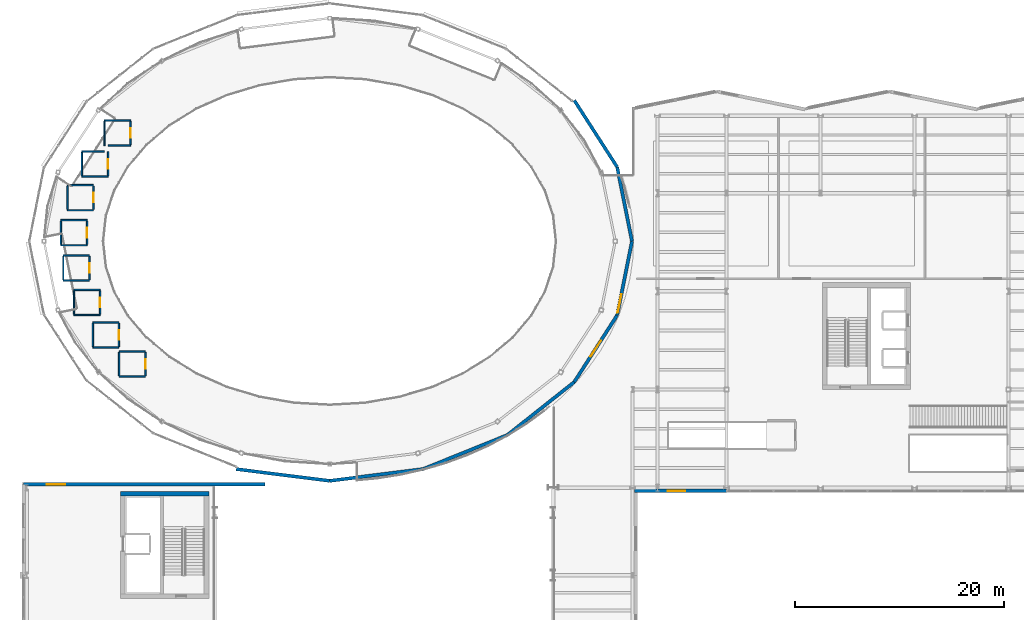
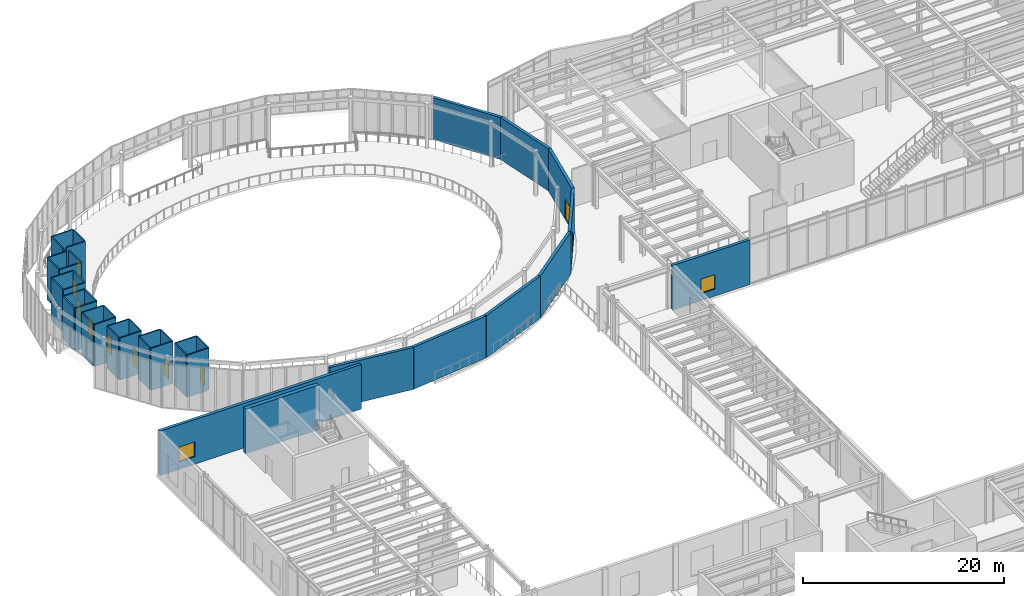
# One storey, part 78 of 98: 43 walls, 10 doors, 2 windows, 12 openings.
"""IFC4 building model written with IfcOpenShell, lengths in metres."""

import ifcopenshell
import ifcopenshell.guid

model = None  # the IFC model being written
_history = None  # IfcOwnerHistory: only IFC2X3 demands one
_inside = {}  # id of a spatial element -> (the spatial element, [elements in it])
_under = {}  # id of a project, library or spatial element -> (it, [spatial elements below it])
_declared = {}  # id of a project -> (the project, [libraries it declares])
_typed = {}  # id of a type object -> (the type object, [elements of that type])
_made_of = {}  # id of a material, layer set ... -> (it, [elements and type objects made of it])


def new_model(schema):
    """Start an empty IFC model of exactly this schema.

    Asked for "IFC4X3", IfcOpenShell would pick the latest addendum, in which some entities
    have other attributes; the version numbers below select the first issue.
    IFC2X3 requires an IfcOwnerHistory on every rooted entity: one is made here for all.
    """
    global model, _history
    if schema == "IFC4X3":
        model = ifcopenshell.file(schema_version=(4, 3, 0, 0))
    else:
        model = ifcopenshell.file(schema=schema)
    _inside.clear()
    _under.clear()
    _declared.clear()
    _typed.clear()
    _made_of.clear()
    _history = None
    if model.schema == "IFC2X3":
        org = make("IfcOrganization", Name="unknown")
        user = make(
            "IfcPersonAndOrganization",
            ThePerson=make("IfcPerson", FamilyName="unknown"),
            TheOrganization=org,
        )
        app = make(
            "IfcApplication",
            ApplicationDeveloper=org,
            Version="unknown",
            ApplicationFullName="unknown",
            ApplicationIdentifier="unknown",
        )
        _history = make(
            "IfcOwnerHistory",
            OwningUser=user,
            OwningApplication=app,
            ChangeAction="ADDED",
            CreationDate=0,
        )
    return model


def make(cls, **values):
    """One entity of the class cls with the attributes given. An attribute that is None is left unset."""
    return model.create_entity(
        cls, **{name: value for name, value in values.items() if value is not None}
    )


def rooted(cls, **values):
    """An entity with a GlobalId (a new one), such as an element, a storey or a relation."""
    return make(cls, GlobalId=ifcopenshell.guid.new(), OwnerHistory=_history, **values)


def si_unit(unit_type, name, prefix=None):
    """IfcSIUnit, for example si_unit("LENGTHUNIT", "METRE", prefix="MILLI")."""
    return make("IfcSIUnit", UnitType=unit_type, Prefix=prefix, Name=name)


def assignment(units):
    """IfcUnitAssignment: the units of a project."""
    return None if units is None else make("IfcUnitAssignment", Units=units)


def point(xyz):
    """IfcCartesianPoint."""
    return None if xyz is None else make("IfcCartesianPoint", Coordinates=xyz)


def direction(xyz):
    """IfcDirection."""
    return None if xyz is None else make("IfcDirection", DirectionRatios=xyz)


def frame(location, z_axis=None, x_axis=None):
    """IfcAxis2Placement3D, a coordinate frame: its origin and axes. An axis left out is left unset."""
    return make(
        "IfcAxis2Placement3D",
        Location=point(location),
        Axis=direction(z_axis),
        RefDirection=direction(x_axis),
    )


def frame_2d(location, x_axis=None):
    """IfcAxis2Placement2D, a coordinate frame in the plane: its origin and x axis."""
    return make(
        "IfcAxis2Placement2D", Location=point(location), RefDirection=direction(x_axis)
    )


def origin():
    """The frame at (0, 0, 0) with its axes left unset."""
    return frame((0.0, 0.0, 0.0))


def place(relative_to, where):
    """IfcLocalPlacement: puts the frame where relative to a parent placement (None: the world)."""
    return make(
        "IfcLocalPlacement", PlacementRelTo=relative_to, RelativePlacement=where
    )


def context(
    kind, dimensions, precision=None, world=None, true_north=None, identifier=None
):
    """IfcGeometricRepresentationContext, for example the 3D "Model" context."""
    return make(
        "IfcGeometricRepresentationContext",
        ContextIdentifier=identifier,
        ContextType=kind,
        CoordinateSpaceDimension=dimensions,
        Precision=precision,
        WorldCoordinateSystem=world,
        TrueNorth=true_north,
    )


def subcontext(parent, identifier, kind, view, scale=None):
    """IfcGeometricRepresentationSubContext, for example "Body" below "Model"."""
    return make(
        "IfcGeometricRepresentationSubContext",
        ContextIdentifier=identifier,
        ContextType=kind,
        ParentContext=parent,
        TargetScale=scale,
        TargetView=view,
    )


def project(units=None, contexts=None):
    """IfcProject with its units and contexts."""
    return rooted(
        "IfcProject",
        Name="project",
        RepresentationContexts=contexts,
        UnitsInContext=assignment(units),
    )


def spatial(cls, under=None, at=None, **own):
    """A site, building, storey or space (cls), placed at a placement, below another one or the project."""
    s = rooted(cls, ObjectPlacement=at, **own)
    if under is not None:
        _under.setdefault(under.id(), (under, []))[1].append(s)
    return s


def profile(cls, at=None, kind="AREA", **sizes):
    """A parametric profile (cls). Its sizes go by their IFC names, for example OverallWidth=200.0."""
    return make(cls, ProfileType=kind, Position=at, **sizes)


def rectangle(**sizes):
    """IfcRectangleProfileDef."""
    return profile("IfcRectangleProfileDef", **sizes)


def extrude(swept, where, along, depth):
    """IfcExtrudedAreaSolid: the profile swept, set in the frame where, extruded along a direction by depth."""
    return make(
        "IfcExtrudedAreaSolid",
        SweptArea=swept,
        Position=where,
        ExtrudedDirection=direction(along),
        Depth=depth,
    )


def shape(context_of_items, identifier, shape_type, items):
    """IfcShapeRepresentation: the items that make up one representation, for example the "Body"."""
    return make(
        "IfcShapeRepresentation",
        ContextOfItems=context_of_items,
        RepresentationIdentifier=identifier,
        RepresentationType=shape_type,
        Items=items,
    )


def material(Name=None, Category=None):
    """IfcMaterial."""
    return make("IfcMaterial", Name=Name, Category=Category)


def layer(
    of_material, thickness, ventilated=None, Name=None, Category=None, Priority=None
):
    """IfcMaterialLayer: one layer of a wall or slab, of a material (None: an air gap)."""
    return make(
        "IfcMaterialLayer",
        Material=of_material,
        LayerThickness=thickness,
        IsVentilated=ventilated,
        Name=Name,
        Category=Category,
        Priority=Priority,
    )


def layer_set(layers, Name=None):
    """IfcMaterialLayerSet."""
    return make("IfcMaterialLayerSet", MaterialLayers=layers, LayerSetName=Name)


def made_of(thing, what):
    """Note that an element or type object is made of a material, layer set ...; save() writes the relation."""
    if what is not None:
        _made_of.setdefault(what.id(), (what, []))[1].append(thing)
    return thing


def type_object(cls, material=None, **own):
    """A type object (cls), such as IfcWallType, which elements share."""
    return made_of(rooted(cls, **own), material)


def element(
    cls,
    number,
    at=None,
    inside=None,
    cuts=None,
    type_object=None,
    material=None,
    context=None,
    identifier="Body",
    shape_type=None,
    held_by="IfcProductDefinitionShape",
    body=None,
    shapes=None,
    **own,
):
    """One element of the class cls, such as IfcWall. Its Tag is "e" and its number.

    at: its placement. inside: the storey or other place that contains it. cuts: it is an
    opening in that element (IfcRelVoidsElement). A single representation is given by context,
    identifier, shape_type and body (its items); several are given by shapes. held_by: the class
    of the entity that holds the representations. save() writes the other relations.
    """
    e = rooted(cls, Tag="e%d" % number, ObjectPlacement=at, **own)
    if body is not None:
        shapes = [shape(context, identifier, shape_type, body)]
    if shapes is not None:
        e.Representation = make(held_by, Representations=shapes)
    if inside is not None:
        _inside.setdefault(inside.id(), (inside, []))[1].append(e)
    if cuts is not None:
        rooted(
            "IfcRelVoidsElement", RelatingBuildingElement=cuts, RelatedOpeningElement=e
        )
    if type_object is not None:
        _typed.setdefault(type_object.id(), (type_object, []))[1].append(e)
    return made_of(e, material)


def fill(opening, filler):
    """IfcRelFillsElement: the door or window that sits in an opening."""
    return rooted(
        "IfcRelFillsElement",
        RelatingOpeningElement=opening,
        RelatedBuildingElement=filler,
    )


def aggregate(whole, parts):
    """IfcRelAggregates: a whole, such as a stair, and the parts it consists of."""
    return rooted("IfcRelAggregates", RelatingObject=whole, RelatedObjects=parts)


def save(model, path):
    """Write the relations noted so far, then the file.

    IfcRelAggregates (storeys below a building ...), IfcRelContainedInSpatialStructure (elements
    in a storey), IfcRelDefinesByType, IfcRelAssociatesMaterial and IfcRelDeclares: one each for
    every whole, place, type object, material and project.
    """
    for whole, parts in _under.values():
        aggregate(whole, parts)
    for where, things in _inside.values():
        rooted(
            "IfcRelContainedInSpatialStructure",
            RelatedElements=things,
            RelatingStructure=where,
        )
    for kind, things in _typed.values():
        rooted("IfcRelDefinesByType", RelatedObjects=things, RelatingType=kind)
    for what, things in _made_of.values():
        rooted("IfcRelAssociatesMaterial", RelatedObjects=things, RelatingMaterial=what)
    for by, libraries in _declared.values():
        rooted("IfcRelDeclares", RelatingContext=by, RelatedDefinitions=libraries)
    model.write(path)


model = new_model("IFC4")

# Units and contexts
model_context = context("Model", 3, precision=1e-05, world=origin(), true_north=direction((0.0, 1.0)))
body_context = subcontext(model_context, "Body", "Model", "MODEL_VIEW")
ifc_project = project(units=[si_unit("LENGTHUNIT", "METRE"), si_unit("AREAUNIT", "SQUARE_METRE"), si_unit("VOLUMEUNIT", "CUBIC_METRE"), si_unit("PLANEANGLEUNIT", "RADIAN"), si_unit("MASSUNIT", "GRAM", prefix="KILO")], contexts=[model_context])

# Site, building, storey
site_placement = place(None, origin())
site = spatial("IfcSite", under=ifc_project, at=site_placement, CompositionType="ELEMENT")
building_placement = place(site_placement, origin())
building = spatial("IfcBuilding", under=site, at=building_placement, Name="Sollismere Congress Hotel", CompositionType="ELEMENT")
storey_placement = place(building_placement, frame((0.0, 0.0, 5.39990234375)))
storey = spatial("IfcBuildingStorey", under=building, at=storey_placement, Name="L01", CompositionType="ELEMENT", Elevation=5.39990234375)

# Wall, opening, window
ifc_material_1 = material(Name="Colorado Buff Sandstone and Limestone Backup C40/50", Category="masonry")
ifc_layer_1 = layer(ifc_material_1, 0.340087890625, Name="Colorado Buff Sandstone and Limestone Backup C40/50")
ifc_layer_set_1 = layer_set([ifc_layer_1], Name="Colorado Buff Sandstone and Limestone Backup C40/50")
wall_type_1 = type_object("IfcWallType", Name="WL-EXT340", PredefinedType="STANDARD", material=ifc_layer_set_1)
wall_1_placement = place(storey_placement, frame((58.179931640625, 66.489990234375, 0.0), z_axis=(0.0, 0.0, 1.0), x_axis=(1.0, 0.0, 0.0)))
wall_1 = element("IfcWall", 1, at=wall_1_placement, inside=storey, type_object=wall_type_1, Name="Exterior wall EW-L01-039", PredefinedType="STANDARD", context=body_context, shape_type="SweptSolid", body=[
    extrude(rectangle(XDim=8.820068359375, YDim=0.340087890625, at=frame_2d((4.41015625, 0.0))), origin(), (0.0, 0.0, 1.0), 5.400146484375),
])
opening_1_placement = place(wall_1_placement, frame((3.199951171875, 0.0, 0.85009765625)))
opening_1 = element("IfcOpeningElement", 2, at=opening_1_placement, cuts=wall_1, Name="Opening W-L01-029", PredefinedType="OPENING", context=body_context, shape_type="SweptSolid", body=[
    extrude(rectangle(XDim=1.64990234375, YDim=1.75, at=frame_2d((0.824951171875, 0.875))), frame((0.0, 0.179931640625, 0.0), z_axis=(0.0, -1.0, 0.0), x_axis=(1.0, 0.0, 0.0)), (0.0, 0.0, 1.0), 0.360107421875),
])
ifc_material_2 = material(Name="Thermally Broken Bronze Aluminum & Low-E Glass", Category="aluminium")
window_type_1 = type_object("IfcWindowType", Name="WN-P165x175", PartitioningType="SINGLE_PANEL", PredefinedType="WINDOW", material=ifc_material_2)
window_1_placement = place(opening_1_placement, origin())
window_1 = element("IfcWindow", 3, at=window_1_placement, inside=storey, type_object=window_type_1, Name="WIN-W-L01-029", OverallHeight=1.75, OverallWidth=1.64990234375, PartitioningType="SINGLE_PANEL", PredefinedType="WINDOW", context=body_context, shape_type="SweptSolid", body=[
    extrude(rectangle(XDim=1.64990234375, YDim=1.75, at=frame_2d((0.824951171875, 0.875))), frame((0.0, 0.030029296875, 0.0), z_axis=(0.0, -1.0, 0.0), x_axis=(1.0, 0.0, 0.0)), (0.0, 0.0, 1.0), 0.06005859375),
])
fill(opening_1, window_1)

wall_2_placement = place(storey_placement, frame((-0.300048828125, 67.110107421875, 0.0), z_axis=(0.0, 0.0, 1.0), x_axis=(1.0, 0.0, 0.0)))
wall_2 = element("IfcWall", 4, at=wall_2_placement, inside=storey, type_object=wall_type_1, Name="Exterior wall EW-L01-138", PredefinedType="STANDARD", context=body_context, shape_type="SweptSolid", body=[
    extrude(rectangle(XDim=23.10009765625, YDim=0.340087890625, at=frame_2d((11.550048828125, 0.0))), origin(), (0.0, 0.0, 1.0), 5.400146484375),
])
opening_2_placement = place(wall_2_placement, frame((2.199951171875, 0.0, 0.89990234375)))
opening_2 = element("IfcOpeningElement", 5, at=opening_2_placement, cuts=wall_2, Name="Opening W-L01-122", PredefinedType="OPENING", context=body_context, shape_type="SweptSolid", body=[
    extrude(rectangle(XDim=1.800048828125, YDim=1.800048828125, at=frame_2d((0.89990234375, 0.89990234375))), frame((0.0, 0.179931640625, 0.0), z_axis=(0.0, -1.0, 0.0), x_axis=(1.0, 0.0, 0.0)), (0.0, 0.0, 1.0), 0.360107421875),
])
window_type_2 = type_object("IfcWindowType", Name="WN-P180x180", PartitioningType="SINGLE_PANEL", PredefinedType="WINDOW", material=ifc_material_2)
window_2_placement = place(opening_2_placement, origin())
window_2 = element("IfcWindow", 6, at=window_2_placement, inside=storey, type_object=window_type_2, Name="WIN-W-L01-122", OverallHeight=1.800048828125, OverallWidth=1.800048828125, PartitioningType="SINGLE_PANEL", PredefinedType="WINDOW", context=body_context, shape_type="SweptSolid", body=[
    extrude(rectangle(XDim=1.800048828125, YDim=1.800048828125, at=frame_2d((0.89990234375, 0.89990234375))), frame((0.0, 0.030029296875, 0.0), z_axis=(0.0, -1.0, 0.0), x_axis=(1.0, 0.0, 0.0)), (0.0, 0.0, 1.0), 0.06005859375),
])
fill(opening_2, window_2)

# Walls
ifc_material_3 = material(Name="Fire-Rated Gypsum Partition")
ifc_layer_2 = layer(ifc_material_3, 0.139892578125, Name="Fire-Rated Gypsum Partition")
ifc_layer_set_2 = layer_set([ifc_layer_2], Name="Fire-Rated Gypsum Partition")
wall_type_2 = type_object("IfcWallType", Name="WL-PRT140R", PredefinedType="PARTITIONING", material=ifc_layer_set_2)
for number, where, z_axis, x_axis, name in (
    (7, (8.85009765625, 77.429931640625, 0.0), (0.0, 0.0, 1.0), (1.0, 0.0, 0.0), "Interior wall IW-L01-0870"),
    (8, (8.85009765625, 79.830078125, 0.0), (0.0, 0.0, 1.0), (1.0, 0.0, 0.0), "Interior wall IW-L01-0871"),
    (9, (6.320068359375, 80.22998046875, 0.0), (0.0, 0.0, 1.0), (1.0, 0.0, 0.0), "Interior wall IW-L01-0872"),
    (10, (6.320068359375, 82.6298828125, 0.0), (0.0, 0.0, 1.0), (1.0, 0.0, 0.0), "Interior wall IW-L01-0873"),
    (11, (4.52001953125, 83.330078125, 0.0), (0.0, 0.0, 1.0), (1.0, 0.0, 0.0), "Interior wall IW-L01-0874"),
    (12, (4.52001953125, 85.72998046875, 0.0), (0.0, 0.0, 1.0), (1.0, 0.0, 0.0), "Interior wall IW-L01-0875"),
    (13, (3.489990234375, 86.6201171875, 0.0), (0.0, 0.0, 1.0), (1.0, 0.0, 0.0), "Interior wall IW-L01-0876"),
    (14, (3.489990234375, 89.030029296875, 0.0), (0.0, 0.0, 1.0), (1.0, 0.0, 0.0), "Interior wall IW-L01-0882"),
    (15, (3.27001953125, 90.010009765625, 0.0), (0.0, 0.0, 1.0), (1.0, 0.0, 0.0), "Interior wall IW-L01-0883"),
    (16, (3.27001953125, 92.409912109375, 0.0), (0.0, 0.0, 1.0), (1.0, 0.0, 0.0), "Interior wall IW-L01-0884"),
    (17, (3.8798828125, 93.360107421875, 0.0), (0.0, 0.0, 1.0), (1.0, 0.0, 0.0), "Interior wall IW-L01-0885"),
    (18, (3.8798828125, 95.760009765625, 0.0), (0.0, 0.0, 1.0), (1.0, 0.0, 0.0), "Interior wall IW-L01-0886"),
    (19, (5.280029296875, 96.580078125, 0.0), (0.0, 0.0, 1.0), (1.0, 0.0, 0.0), "Interior wall IW-L01-0887"),
):
    element("IfcWall", number, at=place(storey_placement, frame(where, z_axis=z_axis, x_axis=x_axis)), inside=storey, type_object=wall_type_2, Name=name, PredefinedType="PARTITIONING", context=body_context, shape_type="SweptSolid", body=[
        extrude(rectangle(XDim=2.5, YDim=0.139892578125, at=frame_2d((1.25, 0.0))), origin(), (0.0, 0.0, 1.0), 5.09521484375),
    ])
for number, where, z_axis, x_axis, name in (
    (20, (5.280029296875, 98.97998046875, 0.0), (0.0, 0.0, 1.0), (1.0, 0.0, 0.0), "Interior wall IW-L01-0888"),
    (21, (7.780029296875, 99.550048828125, 0.0), (0.0, 0.0, 1.0), (1.0, 0.0, 0.0), "Interior wall IW-L01-0889"),
):
    element("IfcWall", number, at=place(storey_placement, frame(where, z_axis=z_axis, x_axis=x_axis)), inside=storey, type_object=wall_type_2, Name=name, PredefinedType="PARTITIONING", context=body_context, shape_type="SweptSolid", body=[
        extrude(rectangle(XDim=2.159912109375, YDim=0.139892578125, at=frame_2d((1.080078125, 0.0))), origin(), (0.0, 0.0, 1.0), 5.09521484375),
    ])
wall_3_placement = place(storey_placement, frame((7.43994140625, 101.93994140625, 0.0), z_axis=(0.0, 0.0, 1.0), x_axis=(1.0, 0.0, 0.0)))
element("IfcWall", 22, at=wall_3_placement, inside=storey, type_object=wall_type_2, Name="Interior wall IW-L01-0890", PredefinedType="PARTITIONING", context=body_context, shape_type="SweptSolid", body=[
    extrude(rectangle(XDim=2.5, YDim=0.139892578125, at=frame_2d((1.25, 0.0))), origin(), (0.0, 0.0, 1.0), 5.09521484375),
])
wall_4_placement = place(storey_placement, frame((3.27001953125, 90.092041015625, 0.0), z_axis=(0.0, 0.0, 1.0), x_axis=(0.0, 1.0, 0.0)))
element("IfcWall", 23, at=wall_4_placement, inside=storey, type_object=wall_type_2, Name="Interior wall IW-L01-0891", PredefinedType="PARTITIONING", context=body_context, shape_type="SweptSolid", body=[
    extrude(rectangle(XDim=2.23583984375, YDim=0.139892578125, at=frame_2d((1.117919921875, 0.0))), origin(), (0.0, 0.0, 1.0), 5.09521484375),
])
wall_5_placement = place(storey_placement, frame((3.489990234375, 86.701904296875, 0.0), z_axis=(0.0, 0.0, 1.0), x_axis=(0.0, 1.0, 0.0)))
element("IfcWall", 24, at=wall_5_placement, inside=storey, type_object=wall_type_2, Name="Interior wall IW-L01-0892", PredefinedType="PARTITIONING", context=body_context, shape_type="SweptSolid", body=[
    extrude(rectangle(XDim=2.24609375, YDim=0.139892578125, at=frame_2d((1.123046875, 0.0))), origin(), (0.0, 0.0, 1.0), 5.09521484375),
])
wall_6_placement = place(storey_placement, frame((3.8798828125, 93.44189453125, 0.0), z_axis=(0.0, 0.0, 1.0), x_axis=(0.0, 1.0, 0.0)))
element("IfcWall", 25, at=wall_6_placement, inside=storey, type_object=wall_type_2, Name="Interior wall IW-L01-0893", PredefinedType="PARTITIONING", context=body_context, shape_type="SweptSolid", body=[
    extrude(rectangle(XDim=2.236083984375, YDim=0.139892578125, at=frame_2d((1.1181640625, 0.0))), origin(), (0.0, 0.0, 1.0), 5.09521484375),
])
for number, where, z_axis, x_axis, name in (
    (26, (4.52001953125, 83.412109375, 0.0), (0.0, 0.0, 1.0), (0.0, 1.0, 0.0), "Interior wall IW-L01-0894"),
    (27, (5.280029296875, 96.662109375, 0.0), (0.0, 0.0, 1.0), (0.0, 1.0, 0.0), "Interior wall IW-L01-0895"),
):
    element("IfcWall", number, at=place(storey_placement, frame(where, z_axis=z_axis, x_axis=x_axis)), inside=storey, type_object=wall_type_2, Name=name, PredefinedType="PARTITIONING", context=body_context, shape_type="SweptSolid", body=[
        extrude(rectangle(XDim=2.23583984375, YDim=0.139892578125, at=frame_2d((1.117919921875, 0.0))), origin(), (0.0, 0.0, 1.0), 5.09521484375),
    ])

# Wall, opening, door
wall_7_placement = place(storey_placement, frame((5.77001953125, 90.092041015625, 0.0), z_axis=(0.0, 0.0, 1.0), x_axis=(0.0, 1.0, 0.0)))
wall_7 = element("IfcWall", 28, at=wall_7_placement, inside=storey, type_object=wall_type_2, Name="Interior wall IW-L01-0896", PredefinedType="PARTITIONING", context=body_context, shape_type="SweptSolid", body=[
    extrude(rectangle(XDim=2.23583984375, YDim=0.139892578125, at=frame_2d((1.117919921875, 0.0))), origin(), (0.0, 0.0, 1.0), 5.09521484375),
])
opening_3_placement = place(wall_7_placement, frame((0.655029296875, 0.0, 0.0)))
opening_3 = element("IfcOpeningElement", 29, at=opening_3_placement, cuts=wall_7, Name="Opening D-L01-0306", PredefinedType="OPENING", context=body_context, shape_type="SweptSolid", body=[
    extrude(rectangle(XDim=0.919921875, YDim=2.14990234375, at=frame_2d((0.4599609375, 1.074951171875))), frame((0.0, 0.079833984375, 0.0), z_axis=(0.0, -1.0, 0.0), x_axis=(1.0, 0.0, 0.0)), (0.0, 0.0, 1.0), 0.159912109375),
])
ifc_material_4 = material(Name="Solid-Core Acoustic Walnut Guestroom Entry Door")
door_type_1 = type_object("IfcDoorType", Name="DR-KY01", OperationType="NOTDEFINED", PredefinedType="DOOR", material=ifc_material_4)
door_1_placement = place(opening_3_placement, origin())
door_1 = element("IfcDoor", 30, at=door_1_placement, inside=storey, type_object=door_type_1, Name="Interior door D-L01-0306", OperationType="SINGLE_SWING_LEFT", OverallHeight=2.14990234375, OverallWidth=0.919921875, PredefinedType="DOOR", context=body_context, shape_type="SweptSolid", body=[
    extrude(rectangle(XDim=0.919921875, YDim=2.14990234375, at=frame_2d((0.4599609375, 1.074951171875))), frame((0.0, 0.02490234375, 0.0), z_axis=(0.0, -1.0, 0.0), x_axis=(1.0, 0.0, 0.0)), (0.0, 0.0, 1.0), 0.050048828125),
])
fill(opening_3, door_1)

wall_8_placement = place(storey_placement, frame((5.989990234375, 86.701904296875, 0.0), z_axis=(0.0, 0.0, 1.0), x_axis=(0.0, 1.0, 0.0)))
wall_8 = element("IfcWall", 31, at=wall_8_placement, inside=storey, type_object=wall_type_2, Name="Interior wall IW-L01-0897", PredefinedType="PARTITIONING", context=body_context, shape_type="SweptSolid", body=[
    extrude(rectangle(XDim=2.24609375, YDim=0.139892578125, at=frame_2d((1.123046875, 0.0))), origin(), (0.0, 0.0, 1.0), 5.09521484375),
])
opening_4_placement = place(wall_8_placement, frame((0.6630859375, 0.0, 0.0)))
opening_4 = element("IfcOpeningElement", 32, at=opening_4_placement, cuts=wall_8, Name="Opening D-L01-0307", PredefinedType="OPENING", context=body_context, shape_type="SweptSolid", body=[
    extrude(rectangle(XDim=0.919921875, YDim=2.14990234375, at=frame_2d((0.4599609375, 1.074951171875))), frame((0.0, 0.079833984375, 0.0), z_axis=(0.0, -1.0, 0.0), x_axis=(1.0, 0.0, 0.0)), (0.0, 0.0, 1.0), 0.159912109375),
])
door_2_placement = place(opening_4_placement, origin())
door_2 = element("IfcDoor", 33, at=door_2_placement, inside=storey, type_object=door_type_1, Name="Interior door D-L01-0307", OperationType="SINGLE_SWING_RIGHT", OverallHeight=2.14990234375, OverallWidth=0.919921875, PredefinedType="DOOR", context=body_context, shape_type="SweptSolid", body=[
    extrude(rectangle(XDim=0.919921875, YDim=2.14990234375, at=frame_2d((0.4599609375, 1.074951171875))), frame((0.0, 0.02490234375, 0.0), z_axis=(0.0, -1.0, 0.0), x_axis=(1.0, 0.0, 0.0)), (0.0, 0.0, 1.0), 0.050048828125),
])
fill(opening_4, door_2)

# Wall
wall_9_placement = place(storey_placement, frame((6.320068359375, 80.31201171875, 0.0), z_axis=(0.0, 0.0, 1.0), x_axis=(0.0, 1.0, 0.0)))
element("IfcWall", 34, at=wall_9_placement, inside=storey, type_object=wall_type_2, Name="Interior wall IW-L01-0898", PredefinedType="PARTITIONING", context=body_context, shape_type="SweptSolid", body=[
    extrude(rectangle(XDim=2.236083984375, YDim=0.139892578125, at=frame_2d((1.1181640625, 0.0))), origin(), (0.0, 0.0, 1.0), 5.09521484375),
])

# Wall, opening, door
wall_10_placement = place(storey_placement, frame((6.3798828125, 93.44189453125, 0.0), z_axis=(0.0, 0.0, 1.0), x_axis=(0.0, 1.0, 0.0)))
wall_10 = element("IfcWall", 35, at=wall_10_placement, inside=storey, type_object=wall_type_2, Name="Interior wall IW-L01-0899", PredefinedType="PARTITIONING", context=body_context, shape_type="SweptSolid", body=[
    extrude(rectangle(XDim=2.236083984375, YDim=0.139892578125, at=frame_2d((1.1181640625, 0.0))), origin(), (0.0, 0.0, 1.0), 5.09521484375),
])
opening_5_placement = place(wall_10_placement, frame((0.659912109375, 0.0, 0.0)))
opening_5 = element("IfcOpeningElement", 36, at=opening_5_placement, cuts=wall_10, Name="Opening D-L01-0308", PredefinedType="OPENING", context=body_context, shape_type="SweptSolid", body=[
    extrude(rectangle(XDim=0.919921875, YDim=2.14990234375, at=frame_2d((0.4599609375, 1.074951171875))), frame((0.0, 0.079833984375, 0.0), z_axis=(0.0, -1.0, 0.0), x_axis=(1.0, 0.0, 0.0)), (0.0, 0.0, 1.0), 0.159912109375),
])
door_3_placement = place(opening_5_placement, origin())
door_3 = element("IfcDoor", 37, at=door_3_placement, inside=storey, type_object=door_type_1, Name="Interior door D-L01-0308", OperationType="SINGLE_SWING_LEFT", OverallHeight=2.14990234375, OverallWidth=0.919921875, PredefinedType="DOOR", context=body_context, shape_type="SweptSolid", body=[
    extrude(rectangle(XDim=0.919921875, YDim=2.14990234375, at=frame_2d((0.4599609375, 1.074951171875))), frame((0.0, 0.02490234375, 0.0), z_axis=(0.0, -1.0, 0.0), x_axis=(1.0, 0.0, 0.0)), (0.0, 0.0, 1.0), 0.050048828125),
])
fill(opening_5, door_3)

wall_11_placement = place(storey_placement, frame((7.02001953125, 83.412109375, 0.0), z_axis=(0.0, 0.0, 1.0), x_axis=(0.0, 1.0, 0.0)))
wall_11 = element("IfcWall", 38, at=wall_11_placement, inside=storey, type_object=wall_type_2, Name="Interior wall IW-L01-0900", PredefinedType="PARTITIONING", context=body_context, shape_type="SweptSolid", body=[
    extrude(rectangle(XDim=2.23583984375, YDim=0.139892578125, at=frame_2d((1.117919921875, 0.0))), origin(), (0.0, 0.0, 1.0), 5.09521484375),
])
opening_6_placement = place(wall_11_placement, frame((0.657958984375, 0.0, 0.0)))
opening_6 = element("IfcOpeningElement", 39, at=opening_6_placement, cuts=wall_11, Name="Opening D-L01-0309", PredefinedType="OPENING", context=body_context, shape_type="SweptSolid", body=[
    extrude(rectangle(XDim=0.919921875, YDim=2.14990234375, at=frame_2d((0.4599609375, 1.074951171875))), frame((0.0, 0.079833984375, 0.0), z_axis=(0.0, -1.0, 0.0), x_axis=(1.0, 0.0, 0.0)), (0.0, 0.0, 1.0), 0.159912109375),
])
door_4_placement = place(opening_6_placement, origin())
door_4 = element("IfcDoor", 40, at=door_4_placement, inside=storey, type_object=door_type_1, Name="Interior door D-L01-0309", OperationType="SINGLE_SWING_RIGHT", OverallHeight=2.14990234375, OverallWidth=0.919921875, PredefinedType="DOOR", context=body_context, shape_type="SweptSolid", body=[
    extrude(rectangle(XDim=0.919921875, YDim=2.14990234375, at=frame_2d((0.4599609375, 1.074951171875))), frame((0.0, 0.02490234375, 0.0), z_axis=(0.0, -1.0, 0.0), x_axis=(1.0, 0.0, 0.0)), (0.0, 0.0, 1.0), 0.050048828125),
])
fill(opening_6, door_4)

# Wall
wall_12_placement = place(storey_placement, frame((7.43994140625, 99.550048828125, 0.0), z_axis=(0.0, 0.0, 1.0), x_axis=(0.0, 1.0, 0.0)))
element("IfcWall", 41, at=wall_12_placement, inside=storey, type_object=wall_type_2, Name="Interior wall IW-L01-0901", PredefinedType="PARTITIONING", context=body_context, shape_type="SweptSolid", body=[
    extrude(rectangle(XDim=2.307861328125, YDim=0.139892578125, at=frame_2d((1.15380859375, 0.0))), origin(), (0.0, 0.0, 1.0), 5.09521484375),
])

# Wall, opening, door
wall_13_placement = place(storey_placement, frame((7.780029296875, 96.662109375, 0.0), z_axis=(0.0, 0.0, 1.0), x_axis=(0.0, 1.0, 0.0)))
wall_13 = element("IfcWall", 42, at=wall_13_placement, inside=storey, type_object=wall_type_2, Name="Interior wall IW-L01-0902", PredefinedType="PARTITIONING", context=body_context, shape_type="SweptSolid", body=[
    extrude(rectangle(XDim=2.31787109375, YDim=0.139892578125, at=frame_2d((1.158935546875, 0.0))), origin(), (0.0, 0.0, 1.0), 5.09521484375),
])
opening_7_placement = place(wall_13_placement, frame((0.655029296875, 0.0, 0.0)))
opening_7 = element("IfcOpeningElement", 43, at=opening_7_placement, cuts=wall_13, Name="Opening D-L01-0310", PredefinedType="OPENING", context=body_context, shape_type="SweptSolid", body=[
    extrude(rectangle(XDim=0.919921875, YDim=2.14990234375, at=frame_2d((0.4599609375, 1.074951171875))), frame((0.0, 0.079833984375, 0.0), z_axis=(0.0, -1.0, 0.0), x_axis=(1.0, 0.0, 0.0)), (0.0, 0.0, 1.0), 0.159912109375),
])
door_5_placement = place(opening_7_placement, origin())
door_5 = element("IfcDoor", 44, at=door_5_placement, inside=storey, type_object=door_type_1, Name="Interior door D-L01-0310", OperationType="SINGLE_SWING_LEFT", OverallHeight=2.14990234375, OverallWidth=0.919921875, PredefinedType="DOOR", context=body_context, shape_type="SweptSolid", body=[
    extrude(rectangle(XDim=0.919921875, YDim=2.14990234375, at=frame_2d((0.4599609375, 1.074951171875))), frame((0.0, 0.02490234375, 0.0), z_axis=(0.0, -1.0, 0.0), x_axis=(1.0, 0.0, 0.0)), (0.0, 0.0, 1.0), 0.050048828125),
])
fill(opening_7, door_5)

wall_14_placement = place(storey_placement, frame((8.820068359375, 80.31201171875, 0.0), z_axis=(0.0, 0.0, 1.0), x_axis=(0.0, 1.0, 0.0)))
wall_14 = element("IfcWall", 45, at=wall_14_placement, inside=storey, type_object=wall_type_2, Name="Interior wall IW-L01-0903", PredefinedType="PARTITIONING", context=body_context, shape_type="SweptSolid", body=[
    extrude(rectangle(XDim=2.236083984375, YDim=0.139892578125, at=frame_2d((1.1181640625, 0.0))), origin(), (0.0, 0.0, 1.0), 5.09521484375),
])
opening_8_placement = place(wall_14_placement, frame((0.658935546875, 0.0, 0.0)))
opening_8 = element("IfcOpeningElement", 46, at=opening_8_placement, cuts=wall_14, Name="Opening D-L01-0311", PredefinedType="OPENING", context=body_context, shape_type="SweptSolid", body=[
    extrude(rectangle(XDim=0.919921875, YDim=2.14990234375, at=frame_2d((0.4599609375, 1.074951171875))), frame((0.0, 0.079833984375, 0.0), z_axis=(0.0, -1.0, 0.0), x_axis=(1.0, 0.0, 0.0)), (0.0, 0.0, 1.0), 0.159912109375),
])
door_6_placement = place(opening_8_placement, origin())
door_6 = element("IfcDoor", 47, at=door_6_placement, inside=storey, type_object=door_type_1, Name="Interior door D-L01-0311", OperationType="SINGLE_SWING_RIGHT", OverallHeight=2.14990234375, OverallWidth=0.919921875, PredefinedType="DOOR", context=body_context, shape_type="SweptSolid", body=[
    extrude(rectangle(XDim=0.919921875, YDim=2.14990234375, at=frame_2d((0.4599609375, 1.074951171875))), frame((0.0, 0.02490234375, 0.0), z_axis=(0.0, -1.0, 0.0), x_axis=(1.0, 0.0, 0.0)), (0.0, 0.0, 1.0), 0.050048828125),
])
fill(opening_8, door_6)

# Wall
wall_15_placement = place(storey_placement, frame((8.85009765625, 77.511962890625, 0.0), z_axis=(0.0, 0.0, 1.0), x_axis=(0.0, 1.0, 0.0)))
element("IfcWall", 48, at=wall_15_placement, inside=storey, type_object=wall_type_2, Name="Interior wall IW-L01-0904", PredefinedType="PARTITIONING", context=body_context, shape_type="SweptSolid", body=[
    extrude(rectangle(XDim=2.236083984375, YDim=0.139892578125, at=frame_2d((1.1181640625, 0.0))), origin(), (0.0, 0.0, 1.0), 5.09521484375),
])

# Wall, opening, door
wall_16_placement = place(storey_placement, frame((9.93994140625, 99.632080078125, 0.0), z_axis=(0.0, 0.0, 1.0), x_axis=(0.0, 1.0, 0.0)))
wall_16 = element("IfcWall", 49, at=wall_16_placement, inside=storey, type_object=wall_type_2, Name="Interior wall IW-L01-0905", PredefinedType="PARTITIONING", context=body_context, shape_type="SweptSolid", body=[
    extrude(rectangle(XDim=2.225830078125, YDim=0.139892578125, at=frame_2d((1.11279296875, 0.0))), origin(), (0.0, 0.0, 1.0), 5.09521484375),
])
opening_9_placement = place(wall_16_placement, frame((0.653076171875, 0.0, 0.0)))
opening_9 = element("IfcOpeningElement", 50, at=opening_9_placement, cuts=wall_16, Name="Opening D-L01-0312", PredefinedType="OPENING", context=body_context, shape_type="SweptSolid", body=[
    extrude(rectangle(XDim=0.919921875, YDim=2.14990234375, at=frame_2d((0.4599609375, 1.074951171875))), frame((0.0, 0.079833984375, 0.0), z_axis=(0.0, -1.0, 0.0), x_axis=(1.0, 0.0, 0.0)), (0.0, 0.0, 1.0), 0.159912109375),
])
door_7_placement = place(opening_9_placement, origin())
door_7 = element("IfcDoor", 51, at=door_7_placement, inside=storey, type_object=door_type_1, Name="Interior door D-L01-0312", OperationType="SINGLE_SWING_LEFT", OverallHeight=2.14990234375, OverallWidth=0.919921875, PredefinedType="DOOR", context=body_context, shape_type="SweptSolid", body=[
    extrude(rectangle(XDim=0.919921875, YDim=2.14990234375, at=frame_2d((0.4599609375, 1.074951171875))), frame((0.0, 0.02490234375, 0.0), z_axis=(0.0, -1.0, 0.0), x_axis=(1.0, 0.0, 0.0)), (0.0, 0.0, 1.0), 0.050048828125),
])
fill(opening_9, door_7)

wall_17_placement = place(storey_placement, frame((11.35009765625, 77.511962890625, 0.0), z_axis=(0.0, 0.0, 1.0), x_axis=(0.0, 1.0, 0.0)))
wall_17 = element("IfcWall", 52, at=wall_17_placement, inside=storey, type_object=wall_type_2, Name="Interior wall IW-L01-0906", PredefinedType="PARTITIONING", context=body_context, shape_type="SweptSolid", body=[
    extrude(rectangle(XDim=2.236083984375, YDim=0.139892578125, at=frame_2d((1.1181640625, 0.0))), origin(), (0.0, 0.0, 1.0), 5.09521484375),
])
opening_10_placement = place(wall_17_placement, frame((0.660888671875, 0.0, 0.0)))
opening_10 = element("IfcOpeningElement", 53, at=opening_10_placement, cuts=wall_17, Name="Opening D-L01-0313", PredefinedType="OPENING", context=body_context, shape_type="SweptSolid", body=[
    extrude(rectangle(XDim=0.919921875, YDim=2.14990234375, at=frame_2d((0.4599609375, 1.074951171875))), frame((0.0, 0.079833984375, 0.0), z_axis=(0.0, -1.0, 0.0), x_axis=(1.0, 0.0, 0.0)), (0.0, 0.0, 1.0), 0.159912109375),
])
door_8_placement = place(opening_10_placement, origin())
door_8 = element("IfcDoor", 54, at=door_8_placement, inside=storey, type_object=door_type_1, Name="Interior door D-L01-0313", OperationType="SINGLE_SWING_RIGHT", OverallHeight=2.14990234375, OverallWidth=0.919921875, PredefinedType="DOOR", context=body_context, shape_type="SweptSolid", body=[
    extrude(rectangle(XDim=0.919921875, YDim=2.14990234375, at=frame_2d((0.4599609375, 1.074951171875))), frame((0.0, 0.02490234375, 0.0), z_axis=(0.0, -1.0, 0.0), x_axis=(1.0, 0.0, 0.0)), (0.0, 0.0, 1.0), 0.050048828125),
])
fill(opening_10, door_8)

# Walls
ifc_material_5 = material(Name="Concrete C50/60", Category="concrete")
ifc_layer_3 = layer(ifc_material_5, 0.449951171875, Name="Concrete C50/60")
ifc_layer_set_3 = layer_set([ifc_layer_3], Name="Concrete C50/60")
wall_type_3 = type_object("IfcWallType", Name="WL-SHR450", PredefinedType="SHEAR", material=ifc_layer_set_3)
wall_18_placement = place(storey_placement, frame((17.425048828125, 66.199951171875, 0.0), z_axis=(0.0, 0.0, 1.0), x_axis=(-1.0, 0.0, 0.0)))
element("IfcWall", 55, at=wall_18_placement, inside=storey, type_object=wall_type_3, Name="Interior wall IW-L01-0648", PredefinedType="SHEAR", context=body_context, shape_type="SweptSolid", body=[
    extrude(rectangle(XDim=8.449951171875, YDim=0.449951171875, at=frame_2d((4.22509765625, 0.0))), origin(), (0.0, 0.0, 1.0), 5.400146484375),
])
ifc_material_6 = material(Name="Acoustic Double-Wythe Concrete Block & Gypsum C40/50", Category="concrete")
ifc_layer_4 = layer(ifc_material_6, 0.320068359375, Name="Acoustic Double-Wythe Concrete Block & Gypsum C40/50")
ifc_layer_set_4 = layer_set([ifc_layer_4], Name="Acoustic Double-Wythe Concrete Block & Gypsum C40/50")
wall_type_4 = type_object("IfcWallType", Name="WL-SLD320I", PredefinedType="PARTITIONING", material=ifc_layer_set_4)
wall_19_placement = place(storey_placement, frame((57.949951171875, 90.39990234375, 0.0), z_axis=(0.0, 0.0, 1.0), x_axis=(-0.195895407339, 0.980624795415, 0.0)))
element("IfcWall", 56, at=wall_19_placement, inside=storey, type_object=wall_type_4, Name="Interior wall IW-L01-0743", PredefinedType="PARTITIONING", context=body_context, shape_type="SweptSolid", body=[
    extrude(rectangle(XDim=7.232177734375, YDim=0.320068359375, at=frame_2d((3.6162109375, 0.0))), origin(), (0.0, 0.0, 1.0), 5.09521484375),
])
wall_20_placement = place(storey_placement, frame((56.533203125, 97.491943359375, 0.0), z_axis=(0.0, 0.0, 1.0), x_axis=(-0.540710539792, 0.841208720924, 0.0)))
element("IfcWall", 57, at=wall_20_placement, inside=storey, type_object=wall_type_4, Name="Interior wall IW-L01-0744", PredefinedType="PARTITIONING", context=body_context, shape_type="SweptSolid", body=[
    extrude(rectangle(XDim=7.60546875, YDim=0.320068359375, at=frame_2d((3.802734375, 0.0))), origin(), (0.0, 0.0, 1.0), 5.09521484375),
])
for number, where, z_axis, x_axis, name in (
    (58, (20.053955078125, 68.5732421875, 0.0), (0.0, 0.0, 1.0), (0.992208988592, -0.124584601602, 0.0), "Interior wall IW-L01-0745"),
    (59, (29.0, 67.449951171875, 0.0), (0.0, 0.0, 1.0), (0.992208988592, 0.124584601602, 0.0), "Interior wall IW-L01-0746"),
):
    element("IfcWall", number, at=place(storey_placement, frame(where, z_axis=z_axis, x_axis=x_axis)), inside=storey, type_object=wall_type_4, Name=name, PredefinedType="PARTITIONING", context=body_context, shape_type="SweptSolid", body=[
        extrude(rectangle(XDim=9.016357421875, YDim=0.320068359375, at=frame_2d((4.50830078125, 0.0))), origin(), (0.0, 0.0, 1.0), 5.09521484375),
    ])
wall_21_placement = place(storey_placement, frame((37.946044921875, 68.5732421875, 0.0), z_axis=(0.0, 0.0, 1.0), x_axis=(0.92721786123, 0.37452241297, 0.0)))
element("IfcWall", 60, at=wall_21_placement, inside=storey, type_object=wall_type_4, Name="Interior wall IW-L01-0747", PredefinedType="PARTITIONING", context=body_context, shape_type="SweptSolid", body=[
    extrude(rectangle(XDim=8.703857421875, YDim=0.320068359375, at=frame_2d((4.35205078125, 0.0))), origin(), (0.0, 0.0, 1.0), 5.09521484375),
])
wall_22_placement = place(storey_placement, frame((46.016357421875, 71.8330078125, 0.0), z_axis=(0.0, 0.0, 1.0), x_axis=(0.783621031074, 0.621239148524, 0.0)))
element("IfcWall", 61, at=wall_22_placement, inside=storey, type_object=wall_type_4, Name="Interior wall IW-L01-0748", PredefinedType="PARTITIONING", context=body_context, shape_type="SweptSolid", body=[
    extrude(rectangle(XDim=8.173095703125, YDim=0.320068359375, at=frame_2d((4.08642578125, 0.0))), origin(), (0.0, 0.0, 1.0), 5.09521484375),
])

# Wall, opening, door
wall_23_placement = place(storey_placement, frame((52.4208984375, 76.910400390625, 0.0), z_axis=(0.0, 0.0, 1.0), x_axis=(0.540710539792, 0.841208720924, 0.0)))
wall_23 = element("IfcWall", 62, at=wall_23_placement, inside=storey, type_object=wall_type_4, Name="Interior wall IW-L01-0749", PredefinedType="PARTITIONING", context=body_context, shape_type="SweptSolid", body=[
    extrude(rectangle(XDim=7.60546875, YDim=0.320068359375, at=frame_2d((3.802734375, 0.0))), origin(), (0.0, 0.0, 1.0), 5.09521484375),
])
opening_11_placement = place(wall_23_placement, frame((2.903076171875, 0.0, 0.0)))
opening_11 = element("IfcOpeningElement", 63, at=opening_11_placement, cuts=wall_23, Name="Opening D-L01-0245", PredefinedType="OPENING", context=body_context, shape_type="SweptSolid", body=[
    extrude(rectangle(XDim=1.800048828125, YDim=2.449951171875, at=frame_2d((0.89990234375, 1.22509765625))), frame((0.0, 0.169921875, 0.0), z_axis=(0.0, -1.0, 0.0), x_axis=(1.0, 0.0, 0.0)), (0.0, 0.0, 1.0), 0.340087890625),
])
ifc_material_7 = material(Name="Acoustic Oak Double Meeting Door")
door_type_2 = type_object("IfcDoorType", Name="DR-MT180", OperationType="NOTDEFINED", PredefinedType="DOOR", material=ifc_material_7)
door_9_placement = place(opening_11_placement, origin())
door_9 = element("IfcDoor", 64, at=door_9_placement, inside=storey, type_object=door_type_2, Name="Congress hall acoustic foyer door D-L01-0245", OperationType="DOUBLE_DOOR_SINGLE_SWING", OverallHeight=2.449951171875, OverallWidth=1.800048828125, PredefinedType="DOOR", context=body_context, shape_type="SweptSolid", body=[
    extrude(rectangle(XDim=1.800048828125, YDim=2.449951171875, at=frame_2d((0.89990234375, 1.22509765625))), frame((0.0, 0.02490234375, 0.0), z_axis=(0.0, -1.0, 0.0), x_axis=(1.0, 0.0, 0.0)), (0.0, 0.0, 1.0), 0.050048828125),
])
fill(opening_11, door_9)

wall_24_placement = place(storey_placement, frame((56.533203125, 83.30810546875, 0.0), z_axis=(0.0, 0.0, 1.0), x_axis=(0.195901892383, 0.980623499902, 0.0)))
wall_24 = element("IfcWall", 65, at=wall_24_placement, inside=storey, type_object=wall_type_4, Name="Interior wall IW-L01-0750", PredefinedType="PARTITIONING", context=body_context, shape_type="SweptSolid", body=[
    extrude(rectangle(XDim=7.23193359375, YDim=0.320068359375, at=frame_2d((3.615966796875, 0.0))), origin(), (0.0, 0.0, 1.0), 5.09521484375),
])
opening_12_placement = place(wall_24_placement, frame((0.25, 0.0, 0.0)))
opening_12 = element("IfcOpeningElement", 66, at=opening_12_placement, cuts=wall_24, Name="Opening D-L01-0246", PredefinedType="OPENING", context=body_context, shape_type="SweptSolid", body=[
    extrude(rectangle(XDim=1.800048828125, YDim=2.449951171875, at=frame_2d((0.89990234375, 1.22509765625))), frame((0.0, 0.169921875, 0.0), z_axis=(0.0, -1.0, 0.0), x_axis=(1.0, 0.0, 0.0)), (0.0, 0.0, 1.0), 0.340087890625),
])
door_10_placement = place(opening_12_placement, origin())
door_10 = element("IfcDoor", 67, at=door_10_placement, inside=storey, type_object=door_type_2, Name="Congress hall acoustic foyer door D-L01-0246", OperationType="DOUBLE_DOOR_SINGLE_SWING", OverallHeight=2.449951171875, OverallWidth=1.800048828125, PredefinedType="DOOR", context=body_context, shape_type="SweptSolid", body=[
    extrude(rectangle(XDim=1.800048828125, YDim=2.449951171875, at=frame_2d((0.89990234375, 1.22509765625))), frame((0.0, 0.02490234375, 0.0), z_axis=(0.0, -1.0, 0.0), x_axis=(1.0, 0.0, 0.0)), (0.0, 0.0, 1.0), 0.050048828125),
])
fill(opening_12, door_10)

save(model, "model.ifc")
